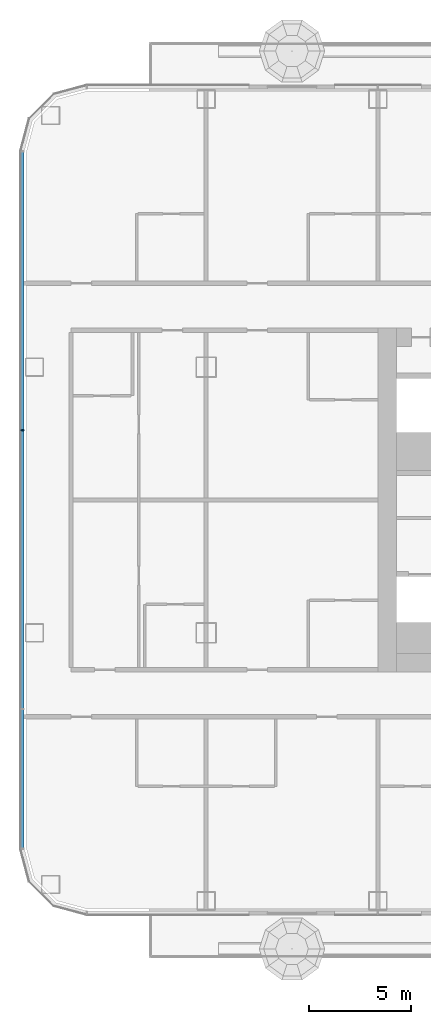
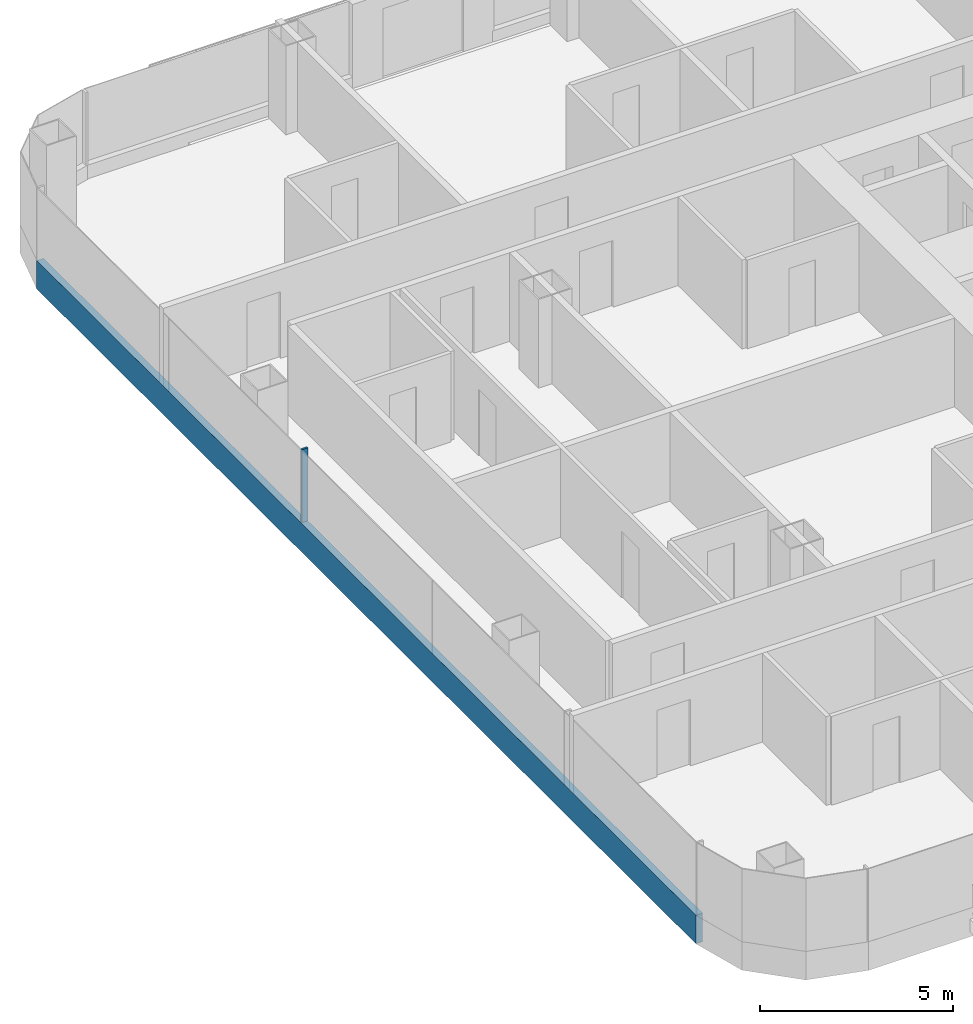
# One storey, part 3 of 35: 2 members, 1 element without a shape of its own.
"""IFC4 building model written with IfcOpenShell, lengths in metres."""

from ifc_helpers import new_model, si_unit, direction, frame, origin, origin_2d, place, context, subcontext, project, spatial, rectangle, extrude, material, layer, layer_set, material_profile, profile_set, type_object, element, aggregate, save


model = new_model("IFC4")

# Units and contexts
model_context = context("Model", 3, precision=1e-05, world=origin(), true_north=direction((0.0, 1.0)))
body_context = subcontext(model_context, "Body", "Model", "MODEL_VIEW")
ifc_project = project(units=[si_unit("LENGTHUNIT", "METRE"), si_unit("AREAUNIT", "SQUARE_METRE"), si_unit("VOLUMEUNIT", "CUBIC_METRE"), si_unit("PLANEANGLEUNIT", "RADIAN"), si_unit("MASSUNIT", "GRAM", prefix="KILO")], contexts=[model_context])

# Site, building, storey
site_placement = place(None, origin())
site = spatial("IfcSite", under=ifc_project, at=site_placement, CompositionType="ELEMENT")
building_placement = place(site_placement, origin())
building = spatial("IfcBuilding", under=site, at=building_placement, Name="Hakoniwa Tower and Hamabe Station Hall", CompositionType="ELEMENT")
storey_placement = place(building_placement, frame((0.0, 0.0, 51.800048828125)))
storey = spatial("IfcBuildingStorey", under=building, at=storey_placement, Name="L14", CompositionType="ELEMENT", Elevation=51.800048828125)

# Curtain wall, members
ifc_material_1 = material(Name="Dark low-e laminated glass", Category="glass")
ifc_layer = layer(ifc_material_1, 0.199951171875)
ifc_layer_set = layer_set([ifc_layer], Name="CW-1 UNITISED GUEST")
curtain_wall_type = type_object("IfcCurtainWallType", Name="CW-1 UNITISED GUEST", PredefinedType="NOTDEFINED", material=ifc_layer_set)
curtain_wall_placement = place(storey_placement, origin())
curtain_wall = element("IfcCurtainWall", 1, at=curtain_wall_placement, inside=storey, type_object=curtain_wall_type, Name="CW-1 curtain wall", PredefinedType="NOTDEFINED")
ifc_material_2 = material(Name="Aluminium 6063-T5 black anodised", Category="aluminium")
ifc_material_profile_1 = material_profile(ifc_material_2, rectangle(XDim=0.199951171875, YDim=0.89990234375, at=origin_2d()), Name="CW SLAB-EDGE BAND 900X200")
ifc_profile_set_1 = profile_set([ifc_material_profile_1], Name="Aluminium 6063-T5 black anodised")
member_type_1 = type_object("IfcMemberType", Name="CW SLAB-EDGE BAND 900X200", PredefinedType="USERDEFINED", material=ifc_profile_set_1)
member_1_placement = place(storey_placement, frame((-51.0, 17.03955078125, -0.10009765625), z_axis=(0.0, -1.0, 0.0), x_axis=(1.0, 0.0, 0.0)))
member_1 = element("IfcMember", 2, at=member_1_placement, type_object=member_type_1, Name="CW-1 transom", ObjectType="TRANSOM", PredefinedType="USERDEFINED", context=body_context, shape_type="SweptSolid", body=[
    extrude(rectangle(XDim=0.199951171875, YDim=0.89990234375, at=origin_2d()), origin(), (0.0, 0.0, 1.0), 34.0791015625),
])
ifc_material_3 = material(Name="Aluminium 6063-T5 black anodised", Category="aluminium")
ifc_material_profile_2 = material_profile(ifc_material_3, rectangle(XDim=0.06005859375, YDim=0.179931640625, at=origin_2d()), Name="CW-1 MULLION 60X180")
ifc_profile_set_2 = profile_set([ifc_material_profile_2], Name="Aluminium 6063-T5 black anodised")
member_type_2 = type_object("IfcMemberType", Name="CW-1 MULLION 60X180", PredefinedType="MULLION", material=ifc_profile_set_2)
member_2_placement = place(storey_placement, frame((-50.98193359375, 3.407958984375, 0.349853515625), z_axis=(0.0, 0.0, 1.0), x_axis=(0.0, -1.0, 0.0)))
member_2 = element("IfcMember", 3, at=member_2_placement, type_object=member_type_2, Name="CW-1 mullion", PredefinedType="MULLION", context=body_context, shape_type="SweptSolid", body=[
    extrude(rectangle(XDim=0.06005859375, YDim=0.179931640625, at=origin_2d()), origin(), (0.0, 0.0, 1.0), 2.300048828125),
])
aggregate(curtain_wall, [member_2, member_1])

save(model, "model.ifc")
